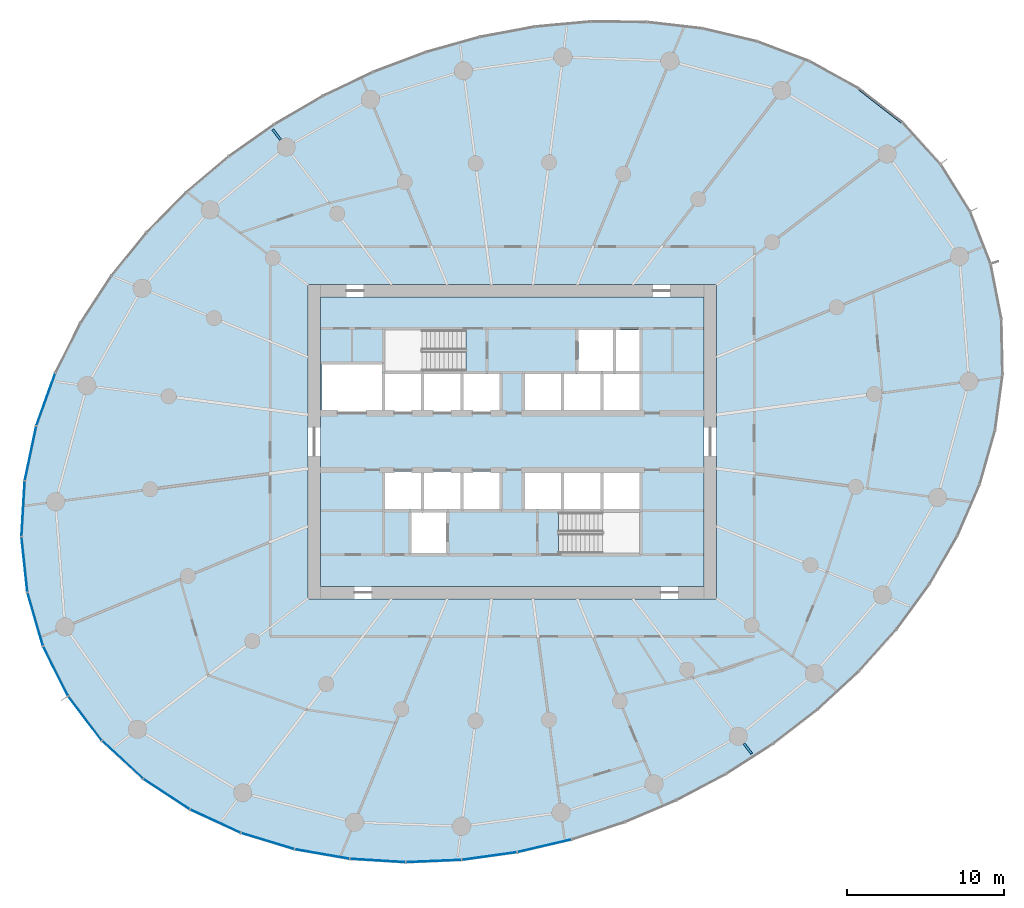
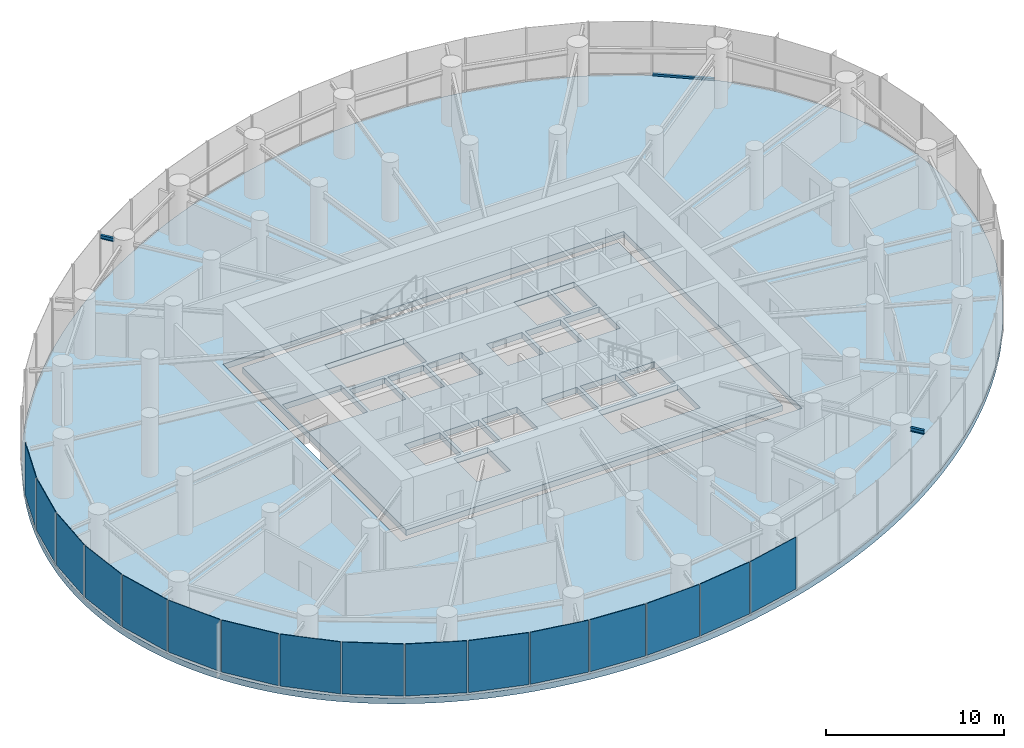
# One storey, part 8 of 17: 16 plates, 2 beams, 2 slabs, 1 member, 4 elements without a shape of their own.
"""IFC4 building model written with IfcOpenShell, lengths in metres."""

from ifc_helpers import new_model, si_unit, direction, frame, origin, origin_2d, place, context, subcontext, project, spatial, line, indexed_curve, rectangle, i_section, outline, extrude, source, transform, mapped, material, layer, layer_set, material_profile, profile_set, type_object, element, aggregate, save


model = new_model("IFC4")

# Units and contexts
model_context = context("Model", 3, precision=1e-05, world=origin(), true_north=direction((0.0, 1.0)))
body_context = subcontext(model_context, "Body", "Model", "MODEL_VIEW")
ifc_project = project(units=[si_unit("LENGTHUNIT", "METRE"), si_unit("AREAUNIT", "SQUARE_METRE"), si_unit("VOLUMEUNIT", "CUBIC_METRE"), si_unit("PLANEANGLEUNIT", "RADIAN"), si_unit("MASSUNIT", "GRAM", prefix="KILO")], contexts=[model_context])

# Site, building, storey
site_placement = place(None, origin())
site = spatial("IfcSite", under=ifc_project, at=site_placement, CompositionType="ELEMENT")
building_placement = place(site_placement, origin())
building = spatial("IfcBuilding", under=site, at=building_placement, Name="Spindrift Exchange Tower", CompositionType="ELEMENT")
storey_placement = place(building_placement, frame((0.0, 0.0, 104.39990234375)))
storey = spatial("IfcBuildingStorey", under=building, at=storey_placement, Name="L24", CompositionType="ELEMENT", Elevation=104.39990234375)

# Beams
ifc_material_1 = material(Name="Steel Grade 300", Category="steel")
ifc_material_profile_1 = material_profile(ifc_material_1, i_section(OverallWidth=0.14599609375, OverallDepth=0.251953125, WebThickness=0.006103515625, FlangeThickness=0.008544921875, FilletRadius=0.011962890625, at=origin_2d()), Name="250UB31.4")
ifc_profile_set_1 = profile_set([ifc_material_profile_1], Name="Steel Grade 300")
beam_type = type_object("IfcBeamType", Name="Cantilever Beam 250UB31.4 Steel Grade 300", PredefinedType="BEAM", material=ifc_profile_set_1)
shared_shape_1 = source(origin(), body_context, "Body", "SweptSolid", [
    extrude(i_section(OverallWidth=0.14599609375, OverallDepth=0.251953125, WebThickness=0.006103515625, FlangeThickness=0.008544921875, FilletRadius=0.011962890625, at=origin_2d()), origin(), (0.0, 0.0, 1.0), 0.82177734375),
])
for number, where, z_axis, x_axis, name in (
    (1, (37.264892578125, 67.203125, 3.57421875), (-0.608805739137, 0.793319337968, 0.0), (-0.793319337968, -0.608805739137, 0.0), "L24 cantilever beam R09T"),
    (2, (66.735107421875, 28.796875, 3.57421875), (0.608805739137, -0.793319337968, 0.0), (0.793319337968, 0.608805739137, 0.0), "L24 cantilever beam R21T"),
):
    element("IfcBeam", number, at=place(storey_placement, frame(where, z_axis=z_axis, x_axis=x_axis)), inside=storey, type_object=beam_type, Name=name, PredefinedType="BEAM", context=body_context, shape_type="MappedRepresentation", body=[
        mapped(shared_shape_1, transform((0.0, 0.0, 0.0), scale=1.0)),
    ])

# Curtain wall, member
ifc_material_2 = material(Name="Fritted laminated glass with bronze frame", Category="glass")
ifc_layer_1 = layer(ifc_material_2, 0.18994140625)
ifc_layer_set_1 = layer_set([ifc_layer_1], Name="ZONE 2 BRONZE FRITTED WALL")
curtain_wall_type = type_object("IfcCurtainWallType", Name="ZONE 2 BRONZE FRITTED WALL", PredefinedType="NOTDEFINED", material=ifc_layer_set_1)
curtain_wall_1_placement = place(storey_placement, origin())
curtain_wall_1 = element("IfcCurtainWall", 3, at=curtain_wall_1_placement, inside=storey, type_object=curtain_wall_type, Name="L24 Zone 2 Bronze Fritted Wall run 1", PredefinedType="NOTDEFINED")
ifc_material_3 = material(Name="Bronze anodised aluminium", Category="aluminium")
ifc_material_profile_2 = material_profile(ifc_material_3, rectangle(XDim=0.169921875, YDim=0.139892578125, at=origin_2d()), Name="ZONE 2 BRONZE FRITTED WALL TRANSOM 170X140")
ifc_profile_set_2 = profile_set([ifc_material_profile_2], Name="Bronze anodised aluminium")
member_type = type_object("IfcMemberType", Name="ZONE 2 BRONZE FRITTED WALL TRANSOM 170X140", PredefinedType="USERDEFINED", material=ifc_profile_set_2)
shared_shape_2 = source(origin(), body_context, "Body", "SweptSolid", [
    extrude(rectangle(XDim=0.169921875, YDim=0.139892578125, at=origin_2d()), origin(), (0.0, 0.0, 1.0), 3.48876953125),
])
member_placement = place(storey_placement, frame((76.814208984375, 68.315185546875, 0.070068359375), z_axis=(-0.788967704572, 0.614434667921, 0.0), x_axis=(-0.614434667921, -0.788967704572, 0.0)))
member = element("IfcMember", 4, at=member_placement, type_object=member_type, Name="L24 transom CW-2.3", ObjectType="TRANSOM", PredefinedType="USERDEFINED", context=body_context, shape_type="MappedRepresentation", body=[
    mapped(shared_shape_2, transform((0.0, 0.0, 0.0), scale=1.0)),
])
aggregate(curtain_wall_1, [member])

# Slabs
ifc_material_4 = material(Name="Concrete 50 MPa", Category="concrete")
ifc_layer_2 = layer(ifc_material_4, 0.39990234375)
ifc_layer_set_2 = layer_set([ifc_layer_2], Name="RC Floor Slab 400 Concrete 50 MPa")
slab_type_1 = type_object("IfcSlabType", Name="RC Floor Slab 400 Concrete 50 MPa", PredefinedType="FLOOR", material=ifc_layer_set_2)
slab_1_placement = place(storey_placement, frame((0.0, 0.0, -0.39990234375)))
element("IfcSlab", 5, at=slab_1_placement, inside=storey, type_object=slab_type_1, Name="Floor slab L24", PredefinedType="FLOOR", context=body_context, shape_type="SweptSolid", body=[
    extrude(outline(indexed_curve([(81.1279296875, 62.63427734375), (80.89501953125, 63.0830078125), (80.650634765625, 63.525390625), (80.394775390625, 63.961181640625), (80.12744140625, 64.39013671875), (79.84912109375, 64.81201171875), (79.56005859375, 65.2265625), (79.26025390625, 65.63330078125), (78.9501953125, 66.032470703125), (78.6298828125, 66.423583984375), (78.2998046875, 66.806396484375), (77.960205078125, 67.180908203125), (77.611572265625, 67.546630859375), (77.25390625, 67.903564453125), (76.887451171875, 68.251708984375), (76.5126953125, 68.591064453125), (76.130126953125, 68.921142578125), (75.739501953125, 69.241943359375), (75.341796875, 69.5537109375), (74.936767578125, 69.856201171875), (74.52490234375, 70.149169921875), (74.106689453125, 70.4326171875), (73.681884765625, 70.706787109375), (73.25146484375, 70.9716796875), (72.815185546875, 71.22705078125), (72.373779296875, 71.472900390625), (71.927001953125, 71.70947265625), (71.4755859375, 71.9365234375), (71.01953125, 72.154541015625), (70.55908203125, 72.363037109375), (70.0947265625, 72.562255859375), (69.154541015625, 72.93359375), (68.20068359375, 73.268310546875), (67.719482421875, 73.42236328125), (67.2353515625, 73.567626953125), (66.259521484375, 73.831787109375), (65.768310546875, 73.95068359375), (64.7802734375, 74.16357421875), (64.28369140625, 74.25732421875), (63.285888671875, 74.419921875), (62.785400390625, 74.4892578125), (61.781005859375, 74.603515625), (61.277587890625, 74.64892578125), (60.26904296875, 74.716552734375), (59.76416015625, 74.73876953125), (58.75341796875, 74.760986328125), (57.74267578125, 74.753662109375), (57.237548828125, 74.739013671875), (56.732421875, 74.71728515625), (55.7236328125, 74.65283203125), (54.717041015625, 74.560791015625), (54.21484375, 74.50439453125), (53.212890625, 74.371826171875), (52.713134765625, 74.29541015625), (51.717041015625, 74.12353515625), (51.220703125, 74.02783203125), (50.7255859375, 73.92578125), (49.73974609375, 73.702880859375), (48.759765625, 73.45556640625), (48.27197265625, 73.322509765625), (47.302001953125, 73.038818359375), (46.819580078125, 72.8876953125), (45.8603515625, 72.568603515625), (45.3837890625, 72.400146484375), (44.43701171875, 72.046142578125), (43.966796875, 71.860595703125), (43.033447265625, 71.47265625), (42.109619140625, 71.0625), (41.6513671875, 70.84912109375), (40.742919921875, 70.406005859375), (39.84521484375, 69.94140625), (38.95849609375, 69.455810546875), (38.083984375, 68.94873046875), (37.6513671875, 68.6875), (37.221923828125, 68.421142578125), (36.372802734375, 67.872802734375), (35.537109375, 67.303955078125), (35.12451171875, 67.011962890625), (34.715576171875, 66.715087890625), (33.90869140625, 66.106201171875), (33.1171875, 65.477294921875), (32.727294921875, 65.15576171875), (31.9599609375, 64.497802734375), (31.582763671875, 64.161376953125), (31.209716796875, 63.8203125), (30.47705078125, 63.123779296875), (29.762939453125, 62.408447265625), (29.4130859375, 62.043701171875), (28.728271484375, 61.30029296875), (28.393310546875, 60.921630859375), (27.739501953125, 60.15087890625), (27.420654296875, 59.758544921875), (26.7998046875, 58.960693359375), (26.498291015625, 58.555419921875), (26.202392578125, 58.1455078125), (25.629150390625, 57.31298828125), (25.081298828125, 56.46337890625), (24.8173828125, 56.032470703125), (24.3095703125, 55.158447265625), (24.06640625, 54.71533203125), (23.601318359375, 53.81787109375), (23.380126953125, 53.36328125), (23.16650390625, 52.9052734375), (22.76318359375, 51.978515625), (22.392822265625, 51.0380859375), (22.22021484375, 50.56298828125), (21.901611328125, 49.603515625), (21.756103515625, 49.11962890625), (21.492431640625, 48.143798828125), (21.375244140625, 47.652099609375), (21.267578125, 47.158203125), (21.17041015625, 46.662353515625), (21.0830078125, 46.16455078125), (21.006103515625, 45.6650390625), (20.93994140625, 45.1640625), (20.884521484375, 44.66162109375), (20.83984375, 44.158203125), (20.806396484375, 43.65380859375), (20.7841796875, 43.14892578125), (20.773681640625, 42.6435546875), (20.7744140625, 42.13818359375), (20.786865234375, 41.6328125), (20.811279296875, 41.128173828125), (20.847900390625, 40.6240234375), (20.896240234375, 40.120849609375), (20.956787109375, 39.619140625), (21.02978515625, 39.118896484375), (21.115234375, 38.620849609375), (21.212890625, 38.125), (21.322998046875, 37.631591796875), (21.445556640625, 37.141357421875), (21.580810546875, 36.654296875), (21.728271484375, 36.1708984375), (21.88818359375, 35.69140625), (22.060546875, 35.21630859375), (22.245361328125, 34.745849609375), (22.442138671875, 34.280517578125), (22.651123046875, 33.8203125), (22.8720703125, 33.36572265625), (23.10498046875, 32.9169921875), (23.349365234375, 32.474609375), (23.605224609375, 32.038818359375), (23.87255859375, 31.60986328125), (24.15087890625, 31.18798828125), (24.43994140625, 30.7734375), (24.73974609375, 30.36669921875), (25.0498046875, 29.967529296875), (25.3701171875, 29.576416015625), (25.7001953125, 29.193603515625), (26.039794921875, 28.819091796875), (26.388427734375, 28.453369140625), (26.74609375, 28.096435546875), (27.112548828125, 27.748291015625), (27.4873046875, 27.408935546875), (27.869873046875, 27.078857421875), (28.260498046875, 26.758056640625), (28.658203125, 26.4462890625), (29.063232421875, 26.143798828125), (29.47509765625, 25.850830078125), (29.893310546875, 25.5673828125), (30.318115234375, 25.293212890625), (30.74853515625, 25.0283203125), (31.184814453125, 24.77294921875), (31.626220703125, 24.527099609375), (32.072998046875, 24.29052734375), (32.5244140625, 24.0634765625), (32.98046875, 23.845458984375), (33.44091796875, 23.636962890625), (33.9052734375, 23.437744140625), (34.845458984375, 23.06640625), (35.79931640625, 22.731689453125), (36.280517578125, 22.57763671875), (36.7646484375, 22.432373046875), (37.740478515625, 22.168212890625), (38.231689453125, 22.04931640625), (39.2197265625, 21.83642578125), (39.71630859375, 21.74267578125), (40.714111328125, 21.580078125), (41.214599609375, 21.5107421875), (42.218994140625, 21.396484375), (42.722412109375, 21.35107421875), (43.73095703125, 21.283447265625), (44.23583984375, 21.26123046875), (45.24658203125, 21.239013671875), (46.25732421875, 21.246337890625), (46.762451171875, 21.260986328125), (47.267578125, 21.28271484375), (48.2763671875, 21.34716796875), (49.282958984375, 21.439208984375), (49.78515625, 21.49560546875), (50.787109375, 21.628173828125), (51.286865234375, 21.70458984375), (52.282958984375, 21.87646484375), (52.779296875, 21.97216796875), (53.2744140625, 22.07421875), (54.26025390625, 22.297119140625), (55.240234375, 22.54443359375), (55.72802734375, 22.677490234375), (56.697998046875, 22.961181640625), (57.180419921875, 23.1123046875), (58.1396484375, 23.431396484375), (58.6162109375, 23.599853515625), (59.56298828125, 23.953857421875), (60.033203125, 24.139404296875), (60.966552734375, 24.52734375), (61.890380859375, 24.9375), (62.3486328125, 25.15087890625), (63.257080078125, 25.593994140625), (64.15478515625, 26.05859375), (65.04150390625, 26.544189453125), (65.916015625, 27.05126953125), (66.3486328125, 27.3125), (66.778076171875, 27.578857421875), (67.627197265625, 28.127197265625), (68.462890625, 28.696044921875), (68.87548828125, 28.988037109375), (69.284423828125, 29.284912109375), (70.09130859375, 29.893798828125), (70.8828125, 30.522705078125), (71.272705078125, 30.84423828125), (72.0400390625, 31.502197265625), (72.417236328125, 31.838623046875), (72.790283203125, 32.1796875), (73.52294921875, 32.876220703125), (74.237060546875, 33.591552734375), (74.5869140625, 33.956298828125), (75.271728515625, 34.69970703125), (75.606689453125, 35.078369140625), (76.260498046875, 35.84912109375), (76.579345703125, 36.241455078125), (77.2001953125, 37.039306640625), (77.501708984375, 37.444580078125), (77.797607421875, 37.8544921875), (78.370849609375, 38.68701171875), (78.918701171875, 39.53662109375), (79.1826171875, 39.967529296875), (79.6904296875, 40.841552734375), (79.93359375, 41.28466796875), (80.398681640625, 42.18212890625), (80.619873046875, 42.63671875), (80.83349609375, 43.0947265625), (81.23681640625, 44.021484375), (81.607177734375, 44.9619140625), (81.77978515625, 45.43701171875), (82.098388671875, 46.396484375), (82.243896484375, 46.88037109375), (82.507568359375, 47.856201171875), (82.624755859375, 48.347900390625), (82.732421875, 48.841796875), (82.82958984375, 49.337646484375), (82.9169921875, 49.83544921875), (82.993896484375, 50.3349609375), (83.06005859375, 50.8359375), (83.115478515625, 51.33837890625), (83.16015625, 51.841796875), (83.193603515625, 52.34619140625), (83.2158203125, 52.85107421875), (83.226318359375, 53.3564453125), (83.2255859375, 53.86181640625), (83.213134765625, 54.3671875), (83.188720703125, 54.871826171875), (83.152099609375, 55.3759765625), (83.103759765625, 55.879150390625), (83.043212890625, 56.380859375), (82.97021484375, 56.881103515625), (82.884765625, 57.379150390625), (82.787109375, 57.875), (82.677001953125, 58.368408203125), (82.554443359375, 58.858642578125), (82.419189453125, 59.345703125), (82.271728515625, 59.8291015625), (82.11181640625, 60.30859375), (81.939453125, 60.78369140625), (81.754638671875, 61.254150390625), (81.557861328125, 61.719482421875), (81.348876953125, 62.1796875)], segments=[line(1, 2, 3, 4, 5, 6, 7, 8, 9, 10, 11, 12, 13, 14, 15, 16, 17, 18, 19, 20, 21, 22, 23, 24, 25, 26, 27, 28, 29, 30, 31, 32, 33, 34, 35, 36, 37, 38, 39, 40, 41, 42, 43, 44, 45, 46, 47, 48, 49, 50, 51, 52, 53, 54, 55, 56, 57, 58, 59, 60, 61, 62, 63, 64, 65, 66, 67, 68, 69, 70, 71, 72, 73, 74, 75, 76, 77, 78, 79, 80, 81, 82, 83, 84, 85, 86, 87, 88, 89, 90, 91, 92, 93, 94, 95, 96, 97, 98, 99, 100, 101, 102, 103, 104, 105, 106, 107, 108, 109, 110, 111, 112, 113, 114, 115, 116, 117, 118, 119, 120, 121, 122, 123, 124, 125, 126, 127, 128, 129, 130, 131, 132, 133, 134, 135, 136, 137, 138, 139, 140, 141, 142, 143, 144, 145, 146, 147, 148, 149, 150, 151, 152, 153, 154, 155, 156, 157, 158, 159, 160, 161, 162, 163, 164, 165, 166, 167, 168, 169, 170, 171, 172, 173, 174, 175, 176, 177, 178, 179, 180, 181, 182, 183, 184, 185, 186, 187, 188, 189, 190, 191, 192, 193, 194, 195, 196, 197, 198, 199, 200, 201, 202, 203, 204, 205, 206, 207, 208, 209, 210, 211, 212, 213, 214, 215, 216, 217, 218, 219, 220, 221, 222, 223, 224, 225, 226, 227, 228, 229, 230, 231, 232, 233, 234, 235, 236, 237, 238, 239, 240, 241, 242, 243, 244, 245, 246, 247, 248, 249, 250, 251, 252, 253, 254, 255, 256, 257, 258, 259, 260, 261, 262, 263, 264, 265, 266, 267, 268, 269, 270, 271, 272, 273, 274, 275, 276, 1)], self_intersect=False), holes=[indexed_curve([(39.0, 38.0), (65.0, 38.0), (65.0, 58.0), (39.0, 58.0)], segments=[line(1, 2, 3, 4, 1)], self_intersect=False)]), origin(), (0.0, 0.0, 1.0), 0.39990234375),
])
ifc_layer_3 = layer(ifc_material_4, 0.39990234375)
ifc_layer_set_3 = layer_set([ifc_layer_3], Name="SL-CORE-FLOOR-400")
slab_type_2 = type_object("IfcSlabType", Name="SL-CORE-FLOOR-400", PredefinedType="FLOOR", material=ifc_layer_set_3)
slab_2_placement = place(storey_placement, frame((0.0, 0.0, -0.39990234375)))
element("IfcSlab", 6, at=slab_2_placement, inside=storey, type_object=slab_type_2, Name="L24 Core floor slab", PredefinedType="FLOOR", context=body_context, shape_type="SweptSolid", body=[
    extrude(outline(indexed_curve([(39.800048828125, 38.800048828125), (39.800048828125, 57.199951171875), (64.199951171875, 57.199951171875), (64.199951171875, 38.800048828125)], segments=[line(1, 2, 3, 4, 1)], self_intersect=False), holes=[indexed_curve([(47.800048828125, 43.5), (45.60009765625, 43.5), (45.60009765625, 40.89990234375), (47.800048828125, 40.89990234375)], segments=[line(1, 2, 3, 4, 1)], self_intersect=False), indexed_curve([(46.199951171875, 46.10009765625), (43.89990234375, 46.10009765625), (43.89990234375, 43.699951171875), (46.199951171875, 43.699951171875)], segments=[line(1, 2, 3, 4, 1)], self_intersect=False), indexed_curve([(48.699951171875, 46.10009765625), (46.39990234375, 46.10009765625), (46.39990234375, 43.699951171875), (48.699951171875, 43.699951171875)], segments=[line(1, 2, 3, 4, 1)], self_intersect=False), indexed_curve([(51.199951171875, 46.10009765625), (48.89990234375, 46.10009765625), (48.89990234375, 43.699951171875), (51.199951171875, 43.699951171875)], segments=[line(1, 2, 3, 4, 1)], self_intersect=False), indexed_curve([(46.199951171875, 52.300048828125), (43.89990234375, 52.300048828125), (43.89990234375, 49.89990234375), (46.199951171875, 49.89990234375)], segments=[line(1, 2, 3, 4, 1)], self_intersect=False), indexed_curve([(48.699951171875, 52.300048828125), (46.39990234375, 52.300048828125), (46.39990234375, 49.89990234375), (48.699951171875, 49.89990234375)], segments=[line(1, 2, 3, 4, 1)], self_intersect=False), indexed_curve([(51.199951171875, 52.300048828125), (48.89990234375, 52.300048828125), (48.89990234375, 49.89990234375), (51.199951171875, 49.89990234375)], segments=[line(1, 2, 3, 4, 1)], self_intersect=False), indexed_curve([(43.699951171875, 49.89990234375), (43.699951171875, 52.89990234375), (39.89990234375, 52.89990234375), (39.89990234375, 49.89990234375)], segments=[line(1, 2, 3, 4, 1)], self_intersect=False), indexed_curve([(49.0439453125, 55.093994140625), (43.906005859375, 55.093994140625), (43.906005859375, 52.506103515625), (49.0439453125, 52.506103515625)], segments=[line(1, 2, 3, 4, 1)], self_intersect=False), indexed_curve([(60.093994140625, 40.906005859375), (60.093994140625, 43.493896484375), (54.9560546875, 43.493896484375), (54.9560546875, 40.906005859375)], segments=[line(1, 2, 3, 4, 1)], self_intersect=False), indexed_curve([(55.10009765625, 46.10009765625), (52.800048828125, 46.10009765625), (52.800048828125, 43.699951171875), (55.10009765625, 43.699951171875)], segments=[line(1, 2, 3, 4, 1)], self_intersect=False), indexed_curve([(57.60009765625, 46.10009765625), (55.300048828125, 46.10009765625), (55.300048828125, 43.699951171875), (57.60009765625, 43.699951171875)], segments=[line(1, 2, 3, 4, 1)], self_intersect=False), indexed_curve([(60.10009765625, 46.10009765625), (57.800048828125, 46.10009765625), (57.800048828125, 43.699951171875), (60.10009765625, 43.699951171875)], segments=[line(1, 2, 3, 4, 1)], self_intersect=False), indexed_curve([(55.10009765625, 52.300048828125), (52.800048828125, 52.300048828125), (52.800048828125, 49.89990234375), (55.10009765625, 49.89990234375)], segments=[line(1, 2, 3, 4, 1)], self_intersect=False), indexed_curve([(57.60009765625, 52.300048828125), (55.300048828125, 52.300048828125), (55.300048828125, 49.89990234375), (57.60009765625, 49.89990234375)], segments=[line(1, 2, 3, 4, 1)], self_intersect=False), indexed_curve([(60.10009765625, 52.300048828125), (57.800048828125, 52.300048828125), (57.800048828125, 49.89990234375), (60.10009765625, 49.89990234375)], segments=[line(1, 2, 3, 4, 1)], self_intersect=False), indexed_curve([(58.39990234375, 52.5), (58.39990234375, 55.10009765625), (56.199951171875, 55.10009765625), (56.199951171875, 52.5)], segments=[line(1, 2, 3, 4, 1)], self_intersect=False), indexed_curve([(60.10009765625, 52.5), (60.10009765625, 55.10009765625), (58.60009765625, 55.10009765625), (58.60009765625, 52.5)], segments=[line(1, 2, 3, 4, 1)], self_intersect=False)]), origin(), (0.0, 0.0, 1.0), 0.39990234375),
])

# Curtain wall, plates
curtain_wall_2_placement = place(storey_placement, origin())
curtain_wall_2 = element("IfcCurtainWall", 7, at=curtain_wall_2_placement, inside=storey, type_object=curtain_wall_type, Name="L24 Zone 2 Bronze Fritted Wall run 6", PredefinedType="NOTDEFINED")
ifc_material_5 = material(Name="Bronze fritted laminated glass, close frit", Category="glass")
ifc_layer_4 = layer(ifc_material_5, 0.033935546875)
ifc_layer_set_4 = layer_set([ifc_layer_4], Name="ZONE 2 BRONZE FRITTED WALL PANEL CLOSE FRIT 420")
plate_type_1 = type_object("IfcPlateType", Name="ZONE 2 BRONZE FRITTED WALL PANEL CLOSE FRIT 420", PredefinedType="CURTAIN_PANEL", material=ifc_layer_set_4)
shared_shape_3 = source(origin(), body_context, "Body", "SweptSolid", [
    extrude(rectangle(XDim=3.491455078125, YDim=0.033935546875, at=origin_2d()), origin(), (0.0, 0.0, 1.0), 3.56005859375),
])
plate_1_placement = place(storey_placement, frame((50.5458984375, 21.635986328125, 0.14013671875), z_axis=(0.0, 0.0, 1.0), x_axis=(0.990430859208, 0.138009829823, 0.0)))
plate_1 = element("IfcPlate", 8, at=plate_1_placement, type_object=plate_type_1, Name="L24 panel CW-2.35", PredefinedType="CURTAIN_PANEL", context=body_context, shape_type="MappedRepresentation", body=[
    mapped(shared_shape_3, transform((0.0, 0.0, 0.0), scale=1.0)),
])
plate_2_placement = place(storey_placement, frame((54.048583984375, 22.287841796875, 0.14013671875), z_axis=(0.0, 0.0, 1.0), x_axis=(0.973770658222, 0.22753176742, 0.0)))
plate_2 = element("IfcPlate", 9, at=plate_2_placement, type_object=plate_type_1, Name="L24 panel CW-2.36", PredefinedType="CURTAIN_PANEL", context=body_context, shape_type="MappedRepresentation", body=[
    mapped(shared_shape_3, transform((0.0, 0.0, 0.0), scale=1.0)),
])
ifc_layer_5 = layer(ifc_material_5, 0.033935546875)
ifc_layer_set_5 = layer_set([ifc_layer_5], Name="ZONE 2 BRONZE FRITTED WALL PANEL CLOSE FRIT 540")
plate_type_2 = type_object("IfcPlateType", Name="ZONE 2 BRONZE FRITTED WALL PANEL CLOSE FRIT 540", PredefinedType="CURTAIN_PANEL", material=ifc_layer_set_5)
shared_shape_4 = source(origin(), body_context, "Body", "SweptSolid", [
    extrude(rectangle(XDim=3.4912109375, YDim=0.033935546875, at=origin_2d()), origin(), (0.0, 0.0, 1.0), 3.56005859375),
])
plate_3_placement = place(storey_placement, frame((46.998291015625, 21.314697265625, 0.14013671875), z_axis=(0.0, 0.0, 1.0), x_axis=(0.999109109653, 0.042201741775, 0.0)))
plate_3 = element("IfcPlate", 10, at=plate_3_placement, type_object=plate_type_2, Name="L24 panel CW-2.34", PredefinedType="CURTAIN_PANEL", context=body_context, shape_type="MappedRepresentation", body=[
    mapped(shared_shape_4, transform((0.0, 0.0, 0.0), scale=1.0)),
])

# Curtain wall, plate
curtain_wall_3_placement = place(storey_placement, origin())
curtain_wall_3 = element("IfcCurtainWall", 11, at=curtain_wall_3_placement, inside=storey, type_object=curtain_wall_type, Name="L24 Zone 2 Bronze Fritted Wall run 4", PredefinedType="NOTDEFINED")
ifc_layer_6 = layer(ifc_material_5, 0.033935546875)
ifc_layer_set_6 = layer_set([ifc_layer_6], Name="ZONE 2 BRONZE FRITTED WALL PANEL CLOSE FRIT 300")
plate_type_3 = type_object("IfcPlateType", Name="ZONE 2 BRONZE FRITTED WALL PANEL CLOSE FRIT 300", PredefinedType="CURTAIN_PANEL", material=ifc_layer_set_6)
shared_shape_5 = source(origin(), body_context, "Body", "SweptSolid", [
    extrude(rectangle(XDim=3.489013671875, YDim=0.033935546875, at=origin_2d()), origin(), (0.0, 0.0, 1.0), 3.56005859375),
])
plate_4_placement = place(storey_placement, frame((20.881591796875, 43.73876953125, 0.14013671875), z_axis=(0.0, 0.0, 1.0), x_axis=(-0.058388179089, -0.998293954977, 0.0)))
plate_4 = element("IfcPlate", 12, at=plate_4_placement, type_object=plate_type_3, Name="L24 panel CW-2.23", PredefinedType="CURTAIN_PANEL", context=body_context, shape_type="MappedRepresentation", body=[
    mapped(shared_shape_5, transform((0.0, 0.0, 0.0), scale=1.0)),
])

# Curtain wall, plates
curtain_wall_4_placement = place(storey_placement, origin())
curtain_wall_4 = element("IfcCurtainWall", 13, at=curtain_wall_4_placement, inside=storey, type_object=curtain_wall_type, Name="L24 Zone 2 Bronze Fritted Wall run 5", PredefinedType="NOTDEFINED")
shared_shape_6 = source(origin(), body_context, "Body", "SweptSolid", [
    extrude(rectangle(XDim=3.48779296875, YDim=0.033935546875, at=origin_2d()), origin(), (0.0, 0.0, 1.0), 3.56005859375),
])
plate_5_placement = place(storey_placement, frame((21.64990234375, 36.705322265625, 0.14013671875), z_axis=(0.0, 0.0, 1.0), x_axis=(0.278459762281, -0.960447895927, 0.0)))
plate_5 = element("IfcPlate", 14, at=plate_5_placement, type_object=plate_type_1, Name="L24 panel CW-2.25", PredefinedType="CURTAIN_PANEL", context=body_context, shape_type="MappedRepresentation", body=[
    mapped(shared_shape_6, transform((0.0, 0.0, 0.0), scale=1.0)),
])
shared_shape_7 = source(origin(), body_context, "Body", "SweptSolid", [
    extrude(rectangle(XDim=3.48779296875, YDim=0.033935546875, at=origin_2d()), origin(), (0.0, 0.0, 1.0), 3.56005859375),
])
plate_6_placement = place(storey_placement, frame((24.822021484375, 30.3916015625, 0.14013671875), z_axis=(0.0, 0.0, 1.0), x_axis=(0.604378048677, -0.79669766805, 0.0)))
plate_6 = element("IfcPlate", 15, at=plate_6_placement, type_object=plate_type_2, Name="L24 panel CW-2.27", PredefinedType="CURTAIN_PANEL", context=body_context, shape_type="MappedRepresentation", body=[
    mapped(shared_shape_7, transform((0.0, 0.0, 0.0), scale=1.0)),
])
shared_shape_8 = source(origin(), body_context, "Body", "SweptSolid", [
    extrude(rectangle(XDim=3.489013671875, YDim=0.033935546875, at=origin_2d()), origin(), (0.0, 0.0, 1.0), 3.56005859375),
])
plate_7_placement = place(storey_placement, frame((30.00634765625, 25.576904296875, 0.14013671875), z_axis=(0.0, 0.0, 1.0), x_axis=(0.835808319593, -0.549021359238, 0.0)))
plate_7 = element("IfcPlate", 16, at=plate_7_placement, type_object=plate_type_1, Name="L24 panel CW-2.29", PredefinedType="CURTAIN_PANEL", context=body_context, shape_type="MappedRepresentation", body=[
    mapped(shared_shape_8, transform((0.0, 0.0, 0.0), scale=1.0)),
])
shared_shape_9 = source(origin(), body_context, "Body", "SweptSolid", [
    extrude(rectangle(XDim=3.48779296875, YDim=0.033935546875, at=origin_2d()), origin(), (0.0, 0.0, 1.0), 3.56005859375),
])
plate_8_placement = place(storey_placement, frame((22.94580078125, 33.402587890625, 0.14013671875), z_axis=(0.0, 0.0, 1.0), x_axis=(0.448930708621, -0.893566572146, 0.0)))
plate_8 = element("IfcPlate", 17, at=plate_8_placement, type_object=plate_type_3, Name="L24 panel CW-2.26", PredefinedType="CURTAIN_PANEL", context=body_context, shape_type="MappedRepresentation", body=[
    mapped(shared_shape_9, transform((0.0, 0.0, 0.0), scale=1.0)),
])
shared_shape_10 = source(origin(), body_context, "Body", "SweptSolid", [
    extrude(rectangle(XDim=3.488525390625, YDim=0.033935546875, at=origin_2d()), origin(), (0.0, 0.0, 1.0), 3.56005859375),
])
plate_9_placement = place(storey_placement, frame((27.2080078125, 27.763916015625, 0.14013671875), z_axis=(0.0, 0.0, 1.0), x_axis=(0.734760706686, -0.678326399243, 0.0)))
plate_9 = element("IfcPlate", 18, at=plate_9_placement, type_object=plate_type_1, Name="L24 panel CW-2.28", PredefinedType="CURTAIN_PANEL", context=body_context, shape_type="MappedRepresentation", body=[
    mapped(shared_shape_10, transform((0.0, 0.0, 0.0), scale=1.0)),
])

# Plate
shared_shape_11 = source(origin(), body_context, "Body", "SweptSolid", [
    extrude(rectangle(XDim=3.490234375, YDim=0.033935546875, at=origin_2d()), origin(), (0.0, 0.0, 1.0), 3.56005859375),
])
plate_10_placement = place(storey_placement, frame((22.32421875, 50.68359375, 0.14013671875), z_axis=(0.0, 0.0, 1.0), x_axis=(-0.337277644641, -0.941405221159, 0.0)))
plate_10 = element("IfcPlate", 19, at=plate_10_placement, type_object=plate_type_2, Name="L24 panel CW-2.21", PredefinedType="CURTAIN_PANEL", context=body_context, shape_type="MappedRepresentation", body=[
    mapped(shared_shape_11, transform((0.0, 0.0, 0.0), scale=1.0)),
])

plate_11_placement = place(storey_placement, frame((36.439453125, 22.589111328125, 0.14013671875), z_axis=(0.0, 0.0, 1.0), x_axis=(0.95662006416, -0.291338382034, 0.0)))
plate_11 = element("IfcPlate", 20, at=plate_11_placement, type_object=plate_type_2, Name="L24 panel CW-2.31", PredefinedType="CURTAIN_PANEL", context=body_context, shape_type="MappedRepresentation", body=[
    mapped(shared_shape_11, transform((0.0, 0.0, 0.0), scale=1.0)),
])

shared_shape_12 = source(origin(), body_context, "Body", "SweptSolid", [
    extrude(rectangle(XDim=3.49072265625, YDim=0.033935546875, at=origin_2d()), origin(), (0.0, 0.0, 1.0), 3.56005859375),
])
plate_12_placement = place(storey_placement, frame((39.901123046875, 21.762939453125, 0.14013671875), z_axis=(0.0, 0.0, 1.0), x_axis=(0.985102123541, -0.171970364292, 0.0)))
plate_12 = element("IfcPlate", 21, at=plate_12_placement, type_object=plate_type_3, Name="L24 panel CW-2.32", PredefinedType="CURTAIN_PANEL", context=body_context, shape_type="MappedRepresentation", body=[
    mapped(shared_shape_12, transform((0.0, 0.0, 0.0), scale=1.0)),
])

shared_shape_13 = source(origin(), body_context, "Body", "SweptSolid", [
    extrude(rectangle(XDim=3.490966796875, YDim=0.033935546875, at=origin_2d()), origin(), (0.0, 0.0, 1.0), 3.56005859375),
])
plate_13_placement = place(storey_placement, frame((43.43701171875, 21.347900390625, 0.14013671875), z_axis=(0.0, 0.0, 1.0), x_axis=(0.998145119449, -0.060879557496, 0.0)))
plate_13 = element("IfcPlate", 22, at=plate_13_placement, type_object=plate_type_3, Name="L24 panel CW-2.33", PredefinedType="CURTAIN_PANEL", context=body_context, shape_type="MappedRepresentation", body=[
    mapped(shared_shape_13, transform((0.0, 0.0, 0.0), scale=1.0)),
])

aggregate(curtain_wall_2, [plate_11, plate_12, plate_13, plate_3, plate_1, plate_2])

shared_shape_14 = source(origin(), body_context, "Body", "SweptSolid", [
    extrude(rectangle(XDim=3.48974609375, YDim=0.033935546875, at=origin_2d()), origin(), (0.0, 0.0, 1.0), 3.56005859375),
])
plate_14_placement = place(storey_placement, frame((21.354248046875, 47.26171875, 0.14013671875), z_axis=(0.0, 0.0, 1.0), x_axis=(-0.206861649631, -0.978370204939, 0.0)))
plate_14 = element("IfcPlate", 23, at=plate_14_placement, type_object=plate_type_3, Name="L24 panel CW-2.22", PredefinedType="CURTAIN_PANEL", context=body_context, shape_type="MappedRepresentation", body=[
    mapped(shared_shape_14, transform((0.0, 0.0, 0.0), scale=1.0)),
])

plate_15_placement = place(storey_placement, frame((33.114990234375, 23.853515625, 0.14013671875), z_axis=(0.0, 0.0, 1.0), x_axis=(0.908433043337, -0.418030388576, 0.0)))
plate_15 = element("IfcPlate", 24, at=plate_15_placement, type_object=plate_type_3, Name="L24 panel CW-2.30", PredefinedType="CURTAIN_PANEL", context=body_context, shape_type="MappedRepresentation", body=[
    mapped(shared_shape_14, transform((0.0, 0.0, 0.0), scale=1.0)),
])

aggregate(curtain_wall_4, [plate_5, plate_8, plate_6, plate_9, plate_7, plate_15])

shared_shape_15 = source(origin(), body_context, "Body", "SweptSolid", [
    extrude(rectangle(XDim=3.48828125, YDim=0.033935546875, at=origin_2d()), origin(), (0.0, 0.0, 1.0), 3.56005859375),
])
plate_16_placement = place(storey_placement, frame((20.9658203125, 40.18798828125, 0.14013671875), z_axis=(0.0, 0.0, 1.0), x_axis=(0.10562887606, -0.994405621737, 0.0)))
plate_16 = element("IfcPlate", 25, at=plate_16_placement, type_object=plate_type_2, Name="L24 panel CW-2.24", PredefinedType="CURTAIN_PANEL", context=body_context, shape_type="MappedRepresentation", body=[
    mapped(shared_shape_15, transform((0.0, 0.0, 0.0), scale=1.0)),
])

aggregate(curtain_wall_3, [plate_10, plate_14, plate_4, plate_16])

save(model, "model.ifc")
